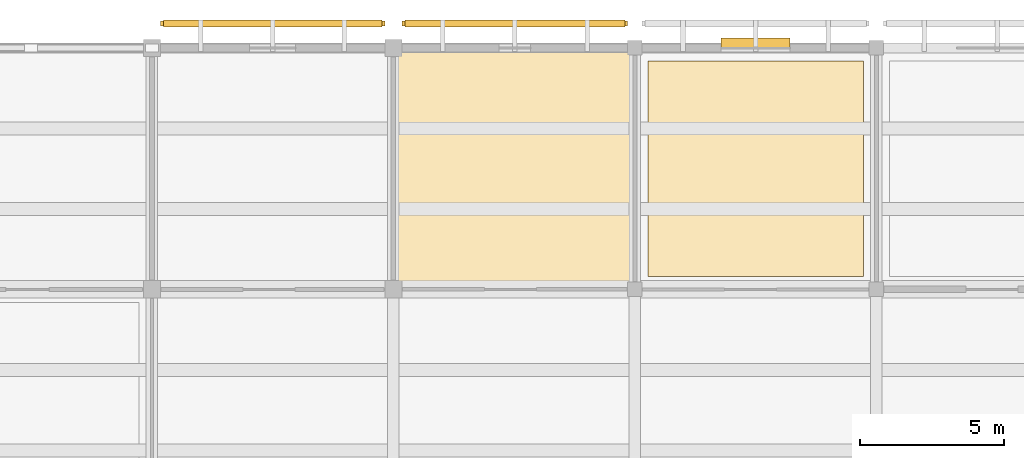
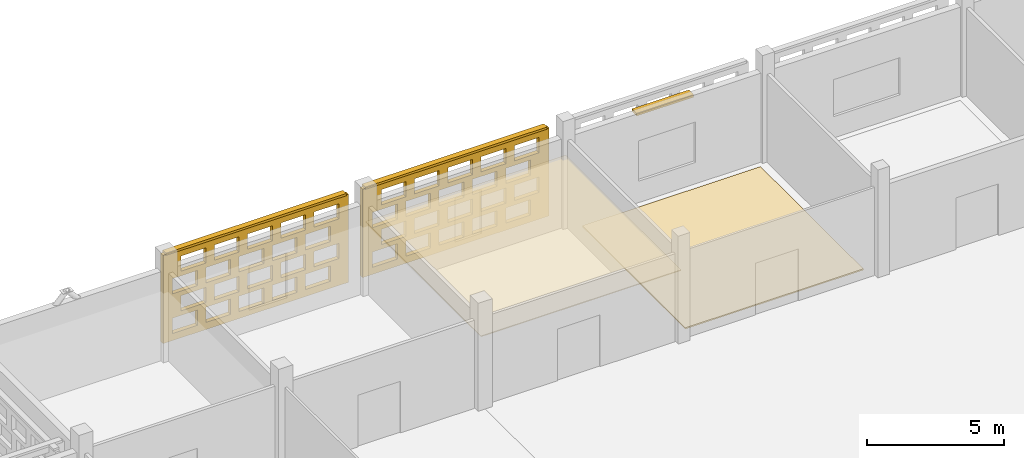
# One storey, part 106 of 129: 4 coverings, 3 shading devices, 40 openings.
"""IFC4 building model written with IfcOpenShell, lengths in metres."""

import ifcopenshell
import ifcopenshell.guid

model = None  # the IFC model being written
_history = None  # IfcOwnerHistory: only IFC2X3 demands one
_inside = {}  # id of a spatial element -> (the spatial element, [elements in it])
_under = {}  # id of a project, library or spatial element -> (it, [spatial elements below it])
_declared = {}  # id of a project -> (the project, [libraries it declares])
_typed = {}  # id of a type object -> (the type object, [elements of that type])
_made_of = {}  # id of a material, layer set ... -> (it, [elements and type objects made of it])


def new_model(schema):
    """Start an empty IFC model of exactly this schema.

    Asked for "IFC4X3", IfcOpenShell would pick the latest addendum, in which some entities
    have other attributes; the version numbers below select the first issue.
    IFC2X3 requires an IfcOwnerHistory on every rooted entity: one is made here for all.
    """
    global model, _history
    if schema == "IFC4X3":
        model = ifcopenshell.file(schema_version=(4, 3, 0, 0))
    else:
        model = ifcopenshell.file(schema=schema)
    _inside.clear()
    _under.clear()
    _declared.clear()
    _typed.clear()
    _made_of.clear()
    _history = None
    if model.schema == "IFC2X3":
        org = make("IfcOrganization", Name="unknown")
        user = make(
            "IfcPersonAndOrganization",
            ThePerson=make("IfcPerson", FamilyName="unknown"),
            TheOrganization=org,
        )
        app = make(
            "IfcApplication",
            ApplicationDeveloper=org,
            Version="unknown",
            ApplicationFullName="unknown",
            ApplicationIdentifier="unknown",
        )
        _history = make(
            "IfcOwnerHistory",
            OwningUser=user,
            OwningApplication=app,
            ChangeAction="ADDED",
            CreationDate=0,
        )
    return model


def make(cls, **values):
    """One entity of the class cls with the attributes given. An attribute that is None is left unset."""
    return model.create_entity(
        cls, **{name: value for name, value in values.items() if value is not None}
    )


def rooted(cls, **values):
    """An entity with a GlobalId (a new one), such as an element, a storey or a relation."""
    return make(cls, GlobalId=ifcopenshell.guid.new(), OwnerHistory=_history, **values)


def si_unit(unit_type, name, prefix=None):
    """IfcSIUnit, for example si_unit("LENGTHUNIT", "METRE", prefix="MILLI")."""
    return make("IfcSIUnit", UnitType=unit_type, Prefix=prefix, Name=name)


def assignment(units):
    """IfcUnitAssignment: the units of a project."""
    return None if units is None else make("IfcUnitAssignment", Units=units)


def point(xyz):
    """IfcCartesianPoint."""
    return None if xyz is None else make("IfcCartesianPoint", Coordinates=xyz)


def direction(xyz):
    """IfcDirection."""
    return None if xyz is None else make("IfcDirection", DirectionRatios=xyz)


def frame(location, z_axis=None, x_axis=None):
    """IfcAxis2Placement3D, a coordinate frame: its origin and axes. An axis left out is left unset."""
    return make(
        "IfcAxis2Placement3D",
        Location=point(location),
        Axis=direction(z_axis),
        RefDirection=direction(x_axis),
    )


def frame_2d(location, x_axis=None):
    """IfcAxis2Placement2D, a coordinate frame in the plane: its origin and x axis."""
    return make(
        "IfcAxis2Placement2D", Location=point(location), RefDirection=direction(x_axis)
    )


def origin():
    """The frame at (0, 0, 0) with its axes left unset."""
    return frame((0.0, 0.0, 0.0))


def origin_2d():
    """The frame at (0, 0) in the plane with its x axis left unset."""
    return frame_2d((0.0, 0.0))


def place(relative_to, where):
    """IfcLocalPlacement: puts the frame where relative to a parent placement (None: the world)."""
    return make(
        "IfcLocalPlacement", PlacementRelTo=relative_to, RelativePlacement=where
    )


def context(
    kind, dimensions, precision=None, world=None, true_north=None, identifier=None
):
    """IfcGeometricRepresentationContext, for example the 3D "Model" context."""
    return make(
        "IfcGeometricRepresentationContext",
        ContextIdentifier=identifier,
        ContextType=kind,
        CoordinateSpaceDimension=dimensions,
        Precision=precision,
        WorldCoordinateSystem=world,
        TrueNorth=true_north,
    )


def subcontext(parent, identifier, kind, view, scale=None):
    """IfcGeometricRepresentationSubContext, for example "Body" below "Model"."""
    return make(
        "IfcGeometricRepresentationSubContext",
        ContextIdentifier=identifier,
        ContextType=kind,
        ParentContext=parent,
        TargetScale=scale,
        TargetView=view,
    )


def project(units=None, contexts=None):
    """IfcProject with its units and contexts."""
    return rooted(
        "IfcProject",
        Name="project",
        RepresentationContexts=contexts,
        UnitsInContext=assignment(units),
    )


def spatial(cls, under=None, at=None, **own):
    """A site, building, storey or space (cls), placed at a placement, below another one or the project."""
    s = rooted(cls, ObjectPlacement=at, **own)
    if under is not None:
        _under.setdefault(under.id(), (under, []))[1].append(s)
    return s


def profile(cls, at=None, kind="AREA", **sizes):
    """A parametric profile (cls). Its sizes go by their IFC names, for example OverallWidth=200.0."""
    return make(cls, ProfileType=kind, Position=at, **sizes)


def rectangle(**sizes):
    """IfcRectangleProfileDef."""
    return profile("IfcRectangleProfileDef", **sizes)


def extrude(swept, where, along, depth):
    """IfcExtrudedAreaSolid: the profile swept, set in the frame where, extruded along a direction by depth."""
    return make(
        "IfcExtrudedAreaSolid",
        SweptArea=swept,
        Position=where,
        ExtrudedDirection=direction(along),
        Depth=depth,
    )


def shape(context_of_items, identifier, shape_type, items):
    """IfcShapeRepresentation: the items that make up one representation, for example the "Body"."""
    return make(
        "IfcShapeRepresentation",
        ContextOfItems=context_of_items,
        RepresentationIdentifier=identifier,
        RepresentationType=shape_type,
        Items=items,
    )


def material(Name=None, Category=None):
    """IfcMaterial."""
    return make("IfcMaterial", Name=Name, Category=Category)


def layer(
    of_material, thickness, ventilated=None, Name=None, Category=None, Priority=None
):
    """IfcMaterialLayer: one layer of a wall or slab, of a material (None: an air gap)."""
    return make(
        "IfcMaterialLayer",
        Material=of_material,
        LayerThickness=thickness,
        IsVentilated=ventilated,
        Name=Name,
        Category=Category,
        Priority=Priority,
    )


def layer_set(layers, Name=None):
    """IfcMaterialLayerSet."""
    return make("IfcMaterialLayerSet", MaterialLayers=layers, LayerSetName=Name)


def made_of(thing, what):
    """Note that an element or type object is made of a material, layer set ...; save() writes the relation."""
    if what is not None:
        _made_of.setdefault(what.id(), (what, []))[1].append(thing)
    return thing


def type_object(cls, material=None, **own):
    """A type object (cls), such as IfcWallType, which elements share."""
    return made_of(rooted(cls, **own), material)


def element(
    cls,
    number,
    at=None,
    inside=None,
    cuts=None,
    type_object=None,
    material=None,
    context=None,
    identifier="Body",
    shape_type=None,
    held_by="IfcProductDefinitionShape",
    body=None,
    shapes=None,
    **own,
):
    """One element of the class cls, such as IfcWall. Its Tag is "e" and its number.

    at: its placement. inside: the storey or other place that contains it. cuts: it is an
    opening in that element (IfcRelVoidsElement). A single representation is given by context,
    identifier, shape_type and body (its items); several are given by shapes. held_by: the class
    of the entity that holds the representations. save() writes the other relations.
    """
    e = rooted(cls, Tag="e%d" % number, ObjectPlacement=at, **own)
    if body is not None:
        shapes = [shape(context, identifier, shape_type, body)]
    if shapes is not None:
        e.Representation = make(held_by, Representations=shapes)
    if inside is not None:
        _inside.setdefault(inside.id(), (inside, []))[1].append(e)
    if cuts is not None:
        rooted(
            "IfcRelVoidsElement", RelatingBuildingElement=cuts, RelatedOpeningElement=e
        )
    if type_object is not None:
        _typed.setdefault(type_object.id(), (type_object, []))[1].append(e)
    return made_of(e, material)


def aggregate(whole, parts):
    """IfcRelAggregates: a whole, such as a stair, and the parts it consists of."""
    return rooted("IfcRelAggregates", RelatingObject=whole, RelatedObjects=parts)


def save(model, path):
    """Write the relations noted so far, then the file.

    IfcRelAggregates (storeys below a building ...), IfcRelContainedInSpatialStructure (elements
    in a storey), IfcRelDefinesByType, IfcRelAssociatesMaterial and IfcRelDeclares: one each for
    every whole, place, type object, material and project.
    """
    for whole, parts in _under.values():
        aggregate(whole, parts)
    for where, things in _inside.values():
        rooted(
            "IfcRelContainedInSpatialStructure",
            RelatedElements=things,
            RelatingStructure=where,
        )
    for kind, things in _typed.values():
        rooted("IfcRelDefinesByType", RelatedObjects=things, RelatingType=kind)
    for what, things in _made_of.values():
        rooted("IfcRelAssociatesMaterial", RelatedObjects=things, RelatingMaterial=what)
    for by, libraries in _declared.values():
        rooted("IfcRelDeclares", RelatingContext=by, RelatedDefinitions=libraries)
    model.write(path)


model = new_model("IFC4")

# Units and contexts
model_context = context("Model", 3, precision=1e-05, world=origin(), true_north=direction((0.0, 1.0)))
body_context = subcontext(model_context, "Body", "Model", "MODEL_VIEW")
ifc_project = project(units=[si_unit("LENGTHUNIT", "METRE"), si_unit("AREAUNIT", "SQUARE_METRE"), si_unit("VOLUMEUNIT", "CUBIC_METRE"), si_unit("PLANEANGLEUNIT", "RADIAN"), si_unit("MASSUNIT", "GRAM", prefix="KILO")], contexts=[model_context])

# Site, building, storey
site_placement = place(None, origin())
site = spatial("IfcSite", under=ifc_project, at=site_placement, CompositionType="ELEMENT")
building_placement = place(site_placement, origin())
building = spatial("IfcBuilding", under=site, at=building_placement, Name="Varnapada Polytechnic", CompositionType="ELEMENT")
storey_placement = place(building_placement, origin())
storey = spatial("IfcBuildingStorey", under=building, at=storey_placement, Name="L00", CompositionType="ELEMENT", Elevation=0.0)

# Covering
ifc_material_1 = material(Name="End-Grain Timber Studio Block Flooring", Category="wood")
ifc_layer_1 = layer(ifc_material_1, 0.054931640625)
ifc_layer_set_1 = layer_set([ifc_layer_1], Name="End-Grain Timber Studio Block Flooring")
covering_type_1 = type_object("IfcCoveringType", Name="Floor Finish FLR-04", PredefinedType="FLOORING", material=ifc_layer_set_1)
covering_1_placement = place(storey_placement, frame((79.800048828125, 121.800048828125, 0.0), z_axis=(0.0, 0.0, 1.0), x_axis=(1.0, 0.0, 0.0)))
element("IfcCovering", 1, at=covering_1_placement, inside=storey, type_object=covering_type_1, Name="L00 floor finish panel (10,15)", PredefinedType="FLOORING", context=body_context, shape_type="SweptSolid", body=[
    extrude(rectangle(XDim=7.5, YDim=7.5, at=origin_2d()), origin(), (0.0, 0.0, 1.0), 0.054931640625),
])

# Shading device
ifc_material_2 = material(Name="Anodised aluminium", Category="aluminium")
ifc_layer_2 = layer(ifc_material_2, 0.35009765625)
ifc_layer_set_2 = layer_set([ifc_layer_2], Name="Anodised aluminium")
shading_device_type_1 = type_object("IfcShadingDeviceType", Name="Solar Louvre LVR-01", PredefinedType="JALOUSIE", material=ifc_layer_set_2)
shading_device_1_placement = place(storey_placement, frame((79.800048828125, 126.179931640625, 3.760009765625), z_axis=(0.0, 0.0, 1.0), x_axis=(1.0, 0.0, 0.0)))
element("IfcShadingDevice", 2, at=shading_device_1_placement, inside=storey, type_object=shading_device_type_1, Name="L00 aluminium sun louvre 55", PredefinedType="JALOUSIE", context=body_context, shape_type="SweptSolid", body=[
    extrude(rectangle(XDim=2.39990234375, YDim=0.340087890625, at=origin_2d()), origin(), (0.0, 0.0, 1.0), 0.1201171875),
])

# Covering
ifc_material_3 = material(Name="Mineral Fibre Acoustic Ceiling Tile")
ifc_layer_3 = layer(ifc_material_3, 0.0400390625)
ifc_layer_set_3 = layer_set([ifc_layer_3], Name="Mineral Fibre Acoustic Ceiling Tile")
covering_type_2 = type_object("IfcCoveringType", Name="Suspended Ceiling CLG-01", PredefinedType="CEILING", material=ifc_layer_set_3)
covering_2_placement = place(storey_placement, frame((71.39990234375, 121.800048828125, 3.030029296875), z_axis=(0.0, 0.0, 1.0), x_axis=(1.0, 0.0, 0.0)))
element("IfcCovering", 3, at=covering_2_placement, inside=storey, type_object=covering_type_2, Name="L00 suspended acoustic ceiling (9,15)", PredefinedType="CEILING", context=body_context, shape_type="SweptSolid", body=[
    extrude(rectangle(XDim=8.419921875, YDim=8.419921875, at=origin_2d()), origin(), (0.0, 0.0, 1.0), 0.0400390625),
])

# Covering, openings
ifc_material_4 = material(Name="Earth-toned architectural terracotta screen block", Category="masonry")
ifc_layer_4 = layer(ifc_material_4, 0.1201171875)
ifc_layer_set_4 = layer_set([ifc_layer_4], Name="Earth-toned architectural terracotta screen block")
covering_type_3 = type_object("IfcCoveringType", Name="Terracotta Screen Cladding CLD-01", PredefinedType="CLADDING", material=ifc_layer_set_4)
covering_3_placement = place(storey_placement, frame((59.10009765625, 126.85009765625, 0.0), z_axis=(0.0, 0.0, 1.0), x_axis=(1.0, 0.0, 0.0)))
covering_3 = element("IfcCovering", 4, at=covering_3_placement, inside=storey, type_object=covering_type_3, Name="L00 perforated terracotta block screen (47)", PredefinedType="CLADDING", context=body_context, shape_type="SweptSolid", body=[
    extrude(rectangle(XDim=7.7998046875, YDim=0.179931640625, at=frame_2d((3.89990234375, 0.0))), origin(), (0.0, 0.0, 1.0), 3.919921875),
])
opening_1_placement = place(covering_3_placement, frame((0.39990234375, 0.0, 0.313720703125)))
element("IfcOpeningElement", 5, at=opening_1_placement, cuts=covering_3, Name="Screen perforation TBS-L00-046.1", PredefinedType="OPENING", context=body_context, shape_type="SweptSolid", body=[
    extrude(rectangle(XDim=1.0400390625, YDim=0.679931640625, at=frame_2d((0.52001953125, 0.33984375))), frame((0.0, 0.099853515625, 0.0), z_axis=(0.0, -1.0, 0.0), x_axis=(1.0, 0.0, 0.0)), (0.0, 0.0, 1.0), 0.199951171875),
])
opening_2_placement = place(covering_3_placement, frame((1.800048828125, 0.0, 0.313720703125)))
element("IfcOpeningElement", 6, at=opening_2_placement, cuts=covering_3, Name="Screen perforation TBS-L00-046.2", PredefinedType="OPENING", context=body_context, shape_type="SweptSolid", body=[
    extrude(rectangle(XDim=1.0400390625, YDim=0.679931640625, at=frame_2d((0.52001953125, 0.33984375))), frame((0.0, 0.099853515625, 0.0), z_axis=(0.0, -1.0, 0.0), x_axis=(1.0, 0.0, 0.0)), (0.0, 0.0, 1.0), 0.199951171875),
])
opening_3_placement = place(covering_3_placement, frame((3.199951171875, 0.0, 0.313720703125)))
element("IfcOpeningElement", 7, at=opening_3_placement, cuts=covering_3, Name="Screen perforation TBS-L00-046.3", PredefinedType="OPENING", context=body_context, shape_type="SweptSolid", body=[
    extrude(rectangle(XDim=1.0400390625, YDim=0.679931640625, at=frame_2d((0.52001953125, 0.33984375))), frame((0.0, 0.099853515625, 0.0), z_axis=(0.0, -1.0, 0.0), x_axis=(1.0, 0.0, 0.0)), (0.0, 0.0, 1.0), 0.199951171875),
])
opening_4_placement = place(covering_3_placement, frame((4.60009765625, 0.0, 0.313720703125)))
element("IfcOpeningElement", 8, at=opening_4_placement, cuts=covering_3, Name="Screen perforation TBS-L00-046.4", PredefinedType="OPENING", context=body_context, shape_type="SweptSolid", body=[
    extrude(rectangle(XDim=1.0400390625, YDim=0.679931640625, at=frame_2d((0.52001953125, 0.33984375))), frame((0.0, 0.099853515625, 0.0), z_axis=(0.0, -1.0, 0.0), x_axis=(1.0, 0.0, 0.0)), (0.0, 0.0, 1.0), 0.199951171875),
])
opening_5_placement = place(covering_3_placement, frame((6.0, 0.0, 0.313720703125)))
element("IfcOpeningElement", 9, at=opening_5_placement, cuts=covering_3, Name="Screen perforation TBS-L00-046.5", PredefinedType="OPENING", context=body_context, shape_type="SweptSolid", body=[
    extrude(rectangle(XDim=1.0400390625, YDim=0.679931640625, at=frame_2d((0.52001953125, 0.33984375))), frame((0.0, 0.099853515625, 0.0), z_axis=(0.0, -1.0, 0.0), x_axis=(1.0, 0.0, 0.0)), (0.0, 0.0, 1.0), 0.199951171875),
])
opening_6_placement = place(covering_3_placement, frame((0.760009765625, 0.0, 1.195556640625)))
element("IfcOpeningElement", 10, at=opening_6_placement, cuts=covering_3, Name="Screen perforation TBS-L00-046.6", PredefinedType="OPENING", context=body_context, shape_type="SweptSolid", body=[
    extrude(rectangle(XDim=1.0400390625, YDim=0.679931640625, at=frame_2d((0.52001953125, 0.33984375))), frame((0.0, 0.099853515625, 0.0), z_axis=(0.0, -1.0, 0.0), x_axis=(1.0, 0.0, 0.0)), (0.0, 0.0, 1.0), 0.199951171875),
])
opening_7_placement = place(covering_3_placement, frame((2.159912109375, 0.0, 1.195556640625)))
element("IfcOpeningElement", 11, at=opening_7_placement, cuts=covering_3, Name="Screen perforation TBS-L00-046.7", PredefinedType="OPENING", context=body_context, shape_type="SweptSolid", body=[
    extrude(rectangle(XDim=1.0400390625, YDim=0.679931640625, at=frame_2d((0.52001953125, 0.33984375))), frame((0.0, 0.099853515625, 0.0), z_axis=(0.0, -1.0, 0.0), x_axis=(1.0, 0.0, 0.0)), (0.0, 0.0, 1.0), 0.199951171875),
])
opening_8_placement = place(covering_3_placement, frame((3.56005859375, 0.0, 1.195556640625)))
element("IfcOpeningElement", 12, at=opening_8_placement, cuts=covering_3, Name="Screen perforation TBS-L00-046.8", PredefinedType="OPENING", context=body_context, shape_type="SweptSolid", body=[
    extrude(rectangle(XDim=1.0400390625, YDim=0.679931640625, at=frame_2d((0.52001953125, 0.33984375))), frame((0.0, 0.099853515625, 0.0), z_axis=(0.0, -1.0, 0.0), x_axis=(1.0, 0.0, 0.0)), (0.0, 0.0, 1.0), 0.199951171875),
])
opening_9_placement = place(covering_3_placement, frame((4.9599609375, 0.0, 1.195556640625)))
element("IfcOpeningElement", 13, at=opening_9_placement, cuts=covering_3, Name="Screen perforation TBS-L00-046.9", PredefinedType="OPENING", context=body_context, shape_type="SweptSolid", body=[
    extrude(rectangle(XDim=1.0400390625, YDim=0.679931640625, at=frame_2d((0.52001953125, 0.33984375))), frame((0.0, 0.099853515625, 0.0), z_axis=(0.0, -1.0, 0.0), x_axis=(1.0, 0.0, 0.0)), (0.0, 0.0, 1.0), 0.199951171875),
])
opening_10_placement = place(covering_3_placement, frame((6.360107421875, 0.0, 1.195556640625)))
element("IfcOpeningElement", 14, at=opening_10_placement, cuts=covering_3, Name="Screen perforation TBS-L00-046.10", PredefinedType="OPENING", context=body_context, shape_type="SweptSolid", body=[
    extrude(rectangle(XDim=1.0400390625, YDim=0.679931640625, at=frame_2d((0.52001953125, 0.33984375))), frame((0.0, 0.099853515625, 0.0), z_axis=(0.0, -1.0, 0.0), x_axis=(1.0, 0.0, 0.0)), (0.0, 0.0, 1.0), 0.199951171875),
])
opening_11_placement = place(covering_3_placement, frame((0.39990234375, 0.0, 2.07763671875)))
element("IfcOpeningElement", 15, at=opening_11_placement, cuts=covering_3, Name="Screen perforation TBS-L00-046.11", PredefinedType="OPENING", context=body_context, shape_type="SweptSolid", body=[
    extrude(rectangle(XDim=1.0400390625, YDim=0.679931640625, at=frame_2d((0.52001953125, 0.33984375))), frame((0.0, 0.099853515625, 0.0), z_axis=(0.0, -1.0, 0.0), x_axis=(1.0, 0.0, 0.0)), (0.0, 0.0, 1.0), 0.199951171875),
])
opening_12_placement = place(covering_3_placement, frame((1.800048828125, 0.0, 2.07763671875)))
element("IfcOpeningElement", 16, at=opening_12_placement, cuts=covering_3, Name="Screen perforation TBS-L00-046.12", PredefinedType="OPENING", context=body_context, shape_type="SweptSolid", body=[
    extrude(rectangle(XDim=1.0400390625, YDim=0.679931640625, at=frame_2d((0.52001953125, 0.33984375))), frame((0.0, 0.099853515625, 0.0), z_axis=(0.0, -1.0, 0.0), x_axis=(1.0, 0.0, 0.0)), (0.0, 0.0, 1.0), 0.199951171875),
])
opening_13_placement = place(covering_3_placement, frame((3.199951171875, 0.0, 2.07763671875)))
element("IfcOpeningElement", 17, at=opening_13_placement, cuts=covering_3, Name="Screen perforation TBS-L00-046.13", PredefinedType="OPENING", context=body_context, shape_type="SweptSolid", body=[
    extrude(rectangle(XDim=1.0400390625, YDim=0.679931640625, at=frame_2d((0.52001953125, 0.33984375))), frame((0.0, 0.099853515625, 0.0), z_axis=(0.0, -1.0, 0.0), x_axis=(1.0, 0.0, 0.0)), (0.0, 0.0, 1.0), 0.199951171875),
])
opening_14_placement = place(covering_3_placement, frame((4.60009765625, 0.0, 2.07763671875)))
element("IfcOpeningElement", 18, at=opening_14_placement, cuts=covering_3, Name="Screen perforation TBS-L00-046.14", PredefinedType="OPENING", context=body_context, shape_type="SweptSolid", body=[
    extrude(rectangle(XDim=1.0400390625, YDim=0.679931640625, at=frame_2d((0.52001953125, 0.33984375))), frame((0.0, 0.099853515625, 0.0), z_axis=(0.0, -1.0, 0.0), x_axis=(1.0, 0.0, 0.0)), (0.0, 0.0, 1.0), 0.199951171875),
])
opening_15_placement = place(covering_3_placement, frame((6.0, 0.0, 2.07763671875)))
element("IfcOpeningElement", 19, at=opening_15_placement, cuts=covering_3, Name="Screen perforation TBS-L00-046.15", PredefinedType="OPENING", context=body_context, shape_type="SweptSolid", body=[
    extrude(rectangle(XDim=1.0400390625, YDim=0.679931640625, at=frame_2d((0.52001953125, 0.33984375))), frame((0.0, 0.099853515625, 0.0), z_axis=(0.0, -1.0, 0.0), x_axis=(1.0, 0.0, 0.0)), (0.0, 0.0, 1.0), 0.199951171875),
])
opening_16_placement = place(covering_3_placement, frame((0.760009765625, 0.0, 2.959716796875)))
element("IfcOpeningElement", 20, at=opening_16_placement, cuts=covering_3, Name="Screen perforation TBS-L00-046.16", PredefinedType="OPENING", context=body_context, shape_type="SweptSolid", body=[
    extrude(rectangle(XDim=1.0400390625, YDim=0.679931640625, at=frame_2d((0.52001953125, 0.33984375))), frame((0.0, 0.099853515625, 0.0), z_axis=(0.0, -1.0, 0.0), x_axis=(1.0, 0.0, 0.0)), (0.0, 0.0, 1.0), 0.199951171875),
])
opening_17_placement = place(covering_3_placement, frame((2.159912109375, 0.0, 2.959716796875)))
element("IfcOpeningElement", 21, at=opening_17_placement, cuts=covering_3, Name="Screen perforation TBS-L00-046.17", PredefinedType="OPENING", context=body_context, shape_type="SweptSolid", body=[
    extrude(rectangle(XDim=1.0400390625, YDim=0.679931640625, at=frame_2d((0.52001953125, 0.33984375))), frame((0.0, 0.099853515625, 0.0), z_axis=(0.0, -1.0, 0.0), x_axis=(1.0, 0.0, 0.0)), (0.0, 0.0, 1.0), 0.199951171875),
])
opening_18_placement = place(covering_3_placement, frame((3.56005859375, 0.0, 2.959716796875)))
element("IfcOpeningElement", 22, at=opening_18_placement, cuts=covering_3, Name="Screen perforation TBS-L00-046.18", PredefinedType="OPENING", context=body_context, shape_type="SweptSolid", body=[
    extrude(rectangle(XDim=1.0400390625, YDim=0.679931640625, at=frame_2d((0.52001953125, 0.33984375))), frame((0.0, 0.099853515625, 0.0), z_axis=(0.0, -1.0, 0.0), x_axis=(1.0, 0.0, 0.0)), (0.0, 0.0, 1.0), 0.199951171875),
])
opening_19_placement = place(covering_3_placement, frame((4.9599609375, 0.0, 2.959716796875)))
element("IfcOpeningElement", 23, at=opening_19_placement, cuts=covering_3, Name="Screen perforation TBS-L00-046.19", PredefinedType="OPENING", context=body_context, shape_type="SweptSolid", body=[
    extrude(rectangle(XDim=1.0400390625, YDim=0.679931640625, at=frame_2d((0.52001953125, 0.33984375))), frame((0.0, 0.099853515625, 0.0), z_axis=(0.0, -1.0, 0.0), x_axis=(1.0, 0.0, 0.0)), (0.0, 0.0, 1.0), 0.199951171875),
])
opening_20_placement = place(covering_3_placement, frame((6.360107421875, 0.0, 2.959716796875)))
element("IfcOpeningElement", 24, at=opening_20_placement, cuts=covering_3, Name="Screen perforation TBS-L00-046.20", PredefinedType="OPENING", context=body_context, shape_type="SweptSolid", body=[
    extrude(rectangle(XDim=1.0400390625, YDim=0.679931640625, at=frame_2d((0.52001953125, 0.33984375))), frame((0.0, 0.099853515625, 0.0), z_axis=(0.0, -1.0, 0.0), x_axis=(1.0, 0.0, 0.0)), (0.0, 0.0, 1.0), 0.199951171875),
])

covering_4_placement = place(storey_placement, frame((67.5, 126.85009765625, 0.0), z_axis=(0.0, 0.0, 1.0), x_axis=(1.0, 0.0, 0.0)))
covering_4 = element("IfcCovering", 25, at=covering_4_placement, inside=storey, type_object=covering_type_3, Name="L00 perforated terracotta block screen (51)", PredefinedType="CLADDING", context=body_context, shape_type="SweptSolid", body=[
    extrude(rectangle(XDim=7.85009765625, YDim=0.179931640625, at=frame_2d((3.925048828125, 0.0))), origin(), (0.0, 0.0, 1.0), 3.919921875),
])
opening_21_placement = place(covering_4_placement, frame((0.425048828125, 0.0, 0.313720703125)))
element("IfcOpeningElement", 26, at=opening_21_placement, cuts=covering_4, Name="Screen perforation TBS-L00-050.1", PredefinedType="OPENING", context=body_context, shape_type="SweptSolid", body=[
    extrude(rectangle(XDim=1.0400390625, YDim=0.679931640625, at=frame_2d((0.52001953125, 0.33984375))), frame((0.0, 0.099853515625, 0.0), z_axis=(0.0, -1.0, 0.0), x_axis=(1.0, 0.0, 0.0)), (0.0, 0.0, 1.0), 0.199951171875),
])
opening_22_placement = place(covering_4_placement, frame((1.824951171875, 0.0, 0.313720703125)))
element("IfcOpeningElement", 27, at=opening_22_placement, cuts=covering_4, Name="Screen perforation TBS-L00-050.2", PredefinedType="OPENING", context=body_context, shape_type="SweptSolid", body=[
    extrude(rectangle(XDim=1.0400390625, YDim=0.679931640625, at=frame_2d((0.52001953125, 0.33984375))), frame((0.0, 0.099853515625, 0.0), z_axis=(0.0, -1.0, 0.0), x_axis=(1.0, 0.0, 0.0)), (0.0, 0.0, 1.0), 0.199951171875),
])
opening_23_placement = place(covering_4_placement, frame((3.22509765625, 0.0, 0.313720703125)))
element("IfcOpeningElement", 28, at=opening_23_placement, cuts=covering_4, Name="Screen perforation TBS-L00-050.3", PredefinedType="OPENING", context=body_context, shape_type="SweptSolid", body=[
    extrude(rectangle(XDim=1.0400390625, YDim=0.679931640625, at=frame_2d((0.52001953125, 0.33984375))), frame((0.0, 0.099853515625, 0.0), z_axis=(0.0, -1.0, 0.0), x_axis=(1.0, 0.0, 0.0)), (0.0, 0.0, 1.0), 0.199951171875),
])
opening_24_placement = place(covering_4_placement, frame((4.625, 0.0, 0.313720703125)))
element("IfcOpeningElement", 29, at=opening_24_placement, cuts=covering_4, Name="Screen perforation TBS-L00-050.4", PredefinedType="OPENING", context=body_context, shape_type="SweptSolid", body=[
    extrude(rectangle(XDim=1.0400390625, YDim=0.679931640625, at=frame_2d((0.52001953125, 0.33984375))), frame((0.0, 0.099853515625, 0.0), z_axis=(0.0, -1.0, 0.0), x_axis=(1.0, 0.0, 0.0)), (0.0, 0.0, 1.0), 0.199951171875),
])
opening_25_placement = place(covering_4_placement, frame((6.02490234375, 0.0, 0.313720703125)))
element("IfcOpeningElement", 30, at=opening_25_placement, cuts=covering_4, Name="Screen perforation TBS-L00-050.5", PredefinedType="OPENING", context=body_context, shape_type="SweptSolid", body=[
    extrude(rectangle(XDim=1.0400390625, YDim=0.679931640625, at=frame_2d((0.52001953125, 0.33984375))), frame((0.0, 0.099853515625, 0.0), z_axis=(0.0, -1.0, 0.0), x_axis=(1.0, 0.0, 0.0)), (0.0, 0.0, 1.0), 0.199951171875),
])
opening_26_placement = place(covering_4_placement, frame((0.784912109375, 0.0, 1.195556640625)))
element("IfcOpeningElement", 31, at=opening_26_placement, cuts=covering_4, Name="Screen perforation TBS-L00-050.6", PredefinedType="OPENING", context=body_context, shape_type="SweptSolid", body=[
    extrude(rectangle(XDim=1.0400390625, YDim=0.679931640625, at=frame_2d((0.52001953125, 0.33984375))), frame((0.0, 0.099853515625, 0.0), z_axis=(0.0, -1.0, 0.0), x_axis=(1.0, 0.0, 0.0)), (0.0, 0.0, 1.0), 0.199951171875),
])
opening_27_placement = place(covering_4_placement, frame((2.18505859375, 0.0, 1.195556640625)))
element("IfcOpeningElement", 32, at=opening_27_placement, cuts=covering_4, Name="Screen perforation TBS-L00-050.7", PredefinedType="OPENING", context=body_context, shape_type="SweptSolid", body=[
    extrude(rectangle(XDim=1.0400390625, YDim=0.679931640625, at=frame_2d((0.52001953125, 0.33984375))), frame((0.0, 0.099853515625, 0.0), z_axis=(0.0, -1.0, 0.0), x_axis=(1.0, 0.0, 0.0)), (0.0, 0.0, 1.0), 0.199951171875),
])
opening_28_placement = place(covering_4_placement, frame((3.5849609375, 0.0, 1.195556640625)))
element("IfcOpeningElement", 33, at=opening_28_placement, cuts=covering_4, Name="Screen perforation TBS-L00-050.8", PredefinedType="OPENING", context=body_context, shape_type="SweptSolid", body=[
    extrude(rectangle(XDim=1.0400390625, YDim=0.679931640625, at=frame_2d((0.52001953125, 0.33984375))), frame((0.0, 0.099853515625, 0.0), z_axis=(0.0, -1.0, 0.0), x_axis=(1.0, 0.0, 0.0)), (0.0, 0.0, 1.0), 0.199951171875),
])
opening_29_placement = place(covering_4_placement, frame((4.985107421875, 0.0, 1.195556640625)))
element("IfcOpeningElement", 34, at=opening_29_placement, cuts=covering_4, Name="Screen perforation TBS-L00-050.9", PredefinedType="OPENING", context=body_context, shape_type="SweptSolid", body=[
    extrude(rectangle(XDim=1.0400390625, YDim=0.679931640625, at=frame_2d((0.52001953125, 0.33984375))), frame((0.0, 0.099853515625, 0.0), z_axis=(0.0, -1.0, 0.0), x_axis=(1.0, 0.0, 0.0)), (0.0, 0.0, 1.0), 0.199951171875),
])
opening_30_placement = place(covering_4_placement, frame((6.385009765625, 0.0, 1.195556640625)))
element("IfcOpeningElement", 35, at=opening_30_placement, cuts=covering_4, Name="Screen perforation TBS-L00-050.10", PredefinedType="OPENING", context=body_context, shape_type="SweptSolid", body=[
    extrude(rectangle(XDim=1.0400390625, YDim=0.679931640625, at=frame_2d((0.52001953125, 0.33984375))), frame((0.0, 0.099853515625, 0.0), z_axis=(0.0, -1.0, 0.0), x_axis=(1.0, 0.0, 0.0)), (0.0, 0.0, 1.0), 0.199951171875),
])
opening_31_placement = place(covering_4_placement, frame((0.425048828125, 0.0, 2.07763671875)))
element("IfcOpeningElement", 36, at=opening_31_placement, cuts=covering_4, Name="Screen perforation TBS-L00-050.11", PredefinedType="OPENING", context=body_context, shape_type="SweptSolid", body=[
    extrude(rectangle(XDim=1.0400390625, YDim=0.679931640625, at=frame_2d((0.52001953125, 0.33984375))), frame((0.0, 0.099853515625, 0.0), z_axis=(0.0, -1.0, 0.0), x_axis=(1.0, 0.0, 0.0)), (0.0, 0.0, 1.0), 0.199951171875),
])
opening_32_placement = place(covering_4_placement, frame((1.824951171875, 0.0, 2.07763671875)))
element("IfcOpeningElement", 37, at=opening_32_placement, cuts=covering_4, Name="Screen perforation TBS-L00-050.12", PredefinedType="OPENING", context=body_context, shape_type="SweptSolid", body=[
    extrude(rectangle(XDim=1.0400390625, YDim=0.679931640625, at=frame_2d((0.52001953125, 0.33984375))), frame((0.0, 0.099853515625, 0.0), z_axis=(0.0, -1.0, 0.0), x_axis=(1.0, 0.0, 0.0)), (0.0, 0.0, 1.0), 0.199951171875),
])
opening_33_placement = place(covering_4_placement, frame((3.22509765625, 0.0, 2.07763671875)))
element("IfcOpeningElement", 38, at=opening_33_placement, cuts=covering_4, Name="Screen perforation TBS-L00-050.13", PredefinedType="OPENING", context=body_context, shape_type="SweptSolid", body=[
    extrude(rectangle(XDim=1.0400390625, YDim=0.679931640625, at=frame_2d((0.52001953125, 0.33984375))), frame((0.0, 0.099853515625, 0.0), z_axis=(0.0, -1.0, 0.0), x_axis=(1.0, 0.0, 0.0)), (0.0, 0.0, 1.0), 0.199951171875),
])
opening_34_placement = place(covering_4_placement, frame((4.625, 0.0, 2.07763671875)))
element("IfcOpeningElement", 39, at=opening_34_placement, cuts=covering_4, Name="Screen perforation TBS-L00-050.14", PredefinedType="OPENING", context=body_context, shape_type="SweptSolid", body=[
    extrude(rectangle(XDim=1.0400390625, YDim=0.679931640625, at=frame_2d((0.52001953125, 0.33984375))), frame((0.0, 0.099853515625, 0.0), z_axis=(0.0, -1.0, 0.0), x_axis=(1.0, 0.0, 0.0)), (0.0, 0.0, 1.0), 0.199951171875),
])
opening_35_placement = place(covering_4_placement, frame((6.02490234375, 0.0, 2.07763671875)))
element("IfcOpeningElement", 40, at=opening_35_placement, cuts=covering_4, Name="Screen perforation TBS-L00-050.15", PredefinedType="OPENING", context=body_context, shape_type="SweptSolid", body=[
    extrude(rectangle(XDim=1.0400390625, YDim=0.679931640625, at=frame_2d((0.52001953125, 0.33984375))), frame((0.0, 0.099853515625, 0.0), z_axis=(0.0, -1.0, 0.0), x_axis=(1.0, 0.0, 0.0)), (0.0, 0.0, 1.0), 0.199951171875),
])
opening_36_placement = place(covering_4_placement, frame((0.784912109375, 0.0, 2.959716796875)))
element("IfcOpeningElement", 41, at=opening_36_placement, cuts=covering_4, Name="Screen perforation TBS-L00-050.16", PredefinedType="OPENING", context=body_context, shape_type="SweptSolid", body=[
    extrude(rectangle(XDim=1.0400390625, YDim=0.679931640625, at=frame_2d((0.52001953125, 0.33984375))), frame((0.0, 0.099853515625, 0.0), z_axis=(0.0, -1.0, 0.0), x_axis=(1.0, 0.0, 0.0)), (0.0, 0.0, 1.0), 0.199951171875),
])
opening_37_placement = place(covering_4_placement, frame((2.18505859375, 0.0, 2.959716796875)))
element("IfcOpeningElement", 42, at=opening_37_placement, cuts=covering_4, Name="Screen perforation TBS-L00-050.17", PredefinedType="OPENING", context=body_context, shape_type="SweptSolid", body=[
    extrude(rectangle(XDim=1.0400390625, YDim=0.679931640625, at=frame_2d((0.52001953125, 0.33984375))), frame((0.0, 0.099853515625, 0.0), z_axis=(0.0, -1.0, 0.0), x_axis=(1.0, 0.0, 0.0)), (0.0, 0.0, 1.0), 0.199951171875),
])
opening_38_placement = place(covering_4_placement, frame((3.5849609375, 0.0, 2.959716796875)))
element("IfcOpeningElement", 43, at=opening_38_placement, cuts=covering_4, Name="Screen perforation TBS-L00-050.18", PredefinedType="OPENING", context=body_context, shape_type="SweptSolid", body=[
    extrude(rectangle(XDim=1.0400390625, YDim=0.679931640625, at=frame_2d((0.52001953125, 0.33984375))), frame((0.0, 0.099853515625, 0.0), z_axis=(0.0, -1.0, 0.0), x_axis=(1.0, 0.0, 0.0)), (0.0, 0.0, 1.0), 0.199951171875),
])
opening_39_placement = place(covering_4_placement, frame((4.985107421875, 0.0, 2.959716796875)))
element("IfcOpeningElement", 44, at=opening_39_placement, cuts=covering_4, Name="Screen perforation TBS-L00-050.19", PredefinedType="OPENING", context=body_context, shape_type="SweptSolid", body=[
    extrude(rectangle(XDim=1.0400390625, YDim=0.679931640625, at=frame_2d((0.52001953125, 0.33984375))), frame((0.0, 0.099853515625, 0.0), z_axis=(0.0, -1.0, 0.0), x_axis=(1.0, 0.0, 0.0)), (0.0, 0.0, 1.0), 0.199951171875),
])
opening_40_placement = place(covering_4_placement, frame((6.385009765625, 0.0, 2.959716796875)))
element("IfcOpeningElement", 45, at=opening_40_placement, cuts=covering_4, Name="Screen perforation TBS-L00-050.20", PredefinedType="OPENING", context=body_context, shape_type="SweptSolid", body=[
    extrude(rectangle(XDim=1.0400390625, YDim=0.679931640625, at=frame_2d((0.52001953125, 0.33984375))), frame((0.0, 0.099853515625, 0.0), z_axis=(0.0, -1.0, 0.0), x_axis=(1.0, 0.0, 0.0)), (0.0, 0.0, 1.0), 0.199951171875),
])

# Shading devices
ifc_layer_5 = layer(ifc_material_4, 0.179931640625)
ifc_layer_set_5 = layer_set([ifc_layer_5], Name="Earth-toned architectural terracotta screen block")
shading_device_type_2 = type_object("IfcShadingDeviceType", Name="Terracotta Screen SCR-02", PredefinedType="USERDEFINED", material=ifc_layer_set_5)
shading_device_2_placement = place(storey_placement, frame((63.0, 126.85009765625, 3.909912109375), z_axis=(0.0, 0.0, 1.0), x_axis=(1.0, 0.0, 0.0)))
element("IfcShadingDevice", 46, at=shading_device_2_placement, inside=storey, type_object=shading_device_type_2, Name="L00 perforated terracotta screen hood 36", ObjectType="SCREEN", PredefinedType="USERDEFINED", context=body_context, shape_type="SweptSolid", body=[
    extrude(rectangle(XDim=7.60009765625, YDim=0.239990234375, at=origin_2d()), origin(), (0.0, 0.0, 1.0), 0.10009765625),
])
shading_device_3_placement = place(storey_placement, frame((71.425048828125, 126.85009765625, 3.909912109375), z_axis=(0.0, 0.0, 1.0), x_axis=(1.0, 0.0, 0.0)))
element("IfcShadingDevice", 47, at=shading_device_3_placement, inside=storey, type_object=shading_device_type_2, Name="L00 perforated terracotta screen hood 37", ObjectType="SCREEN", PredefinedType="USERDEFINED", context=body_context, shape_type="SweptSolid", body=[
    extrude(rectangle(XDim=7.64990234375, YDim=0.239990234375, at=origin_2d()), origin(), (0.0, 0.0, 1.0), 0.10009765625),
])

save(model, "model.ifc")
